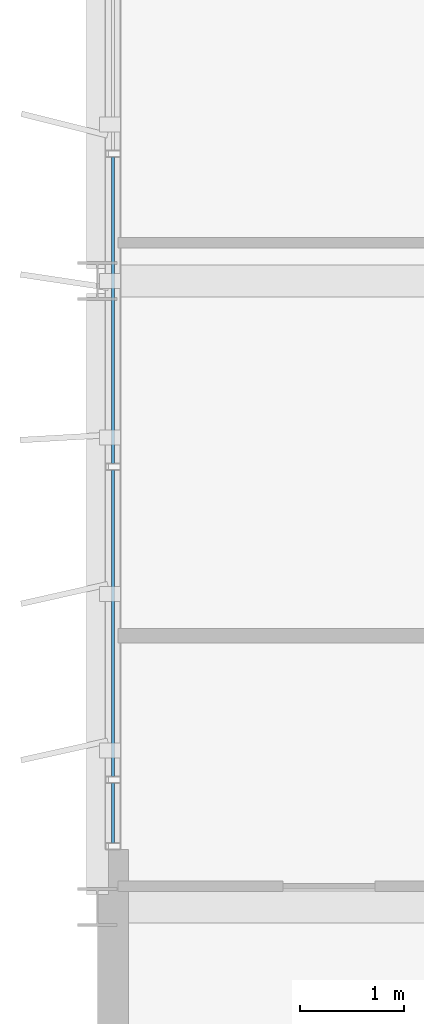
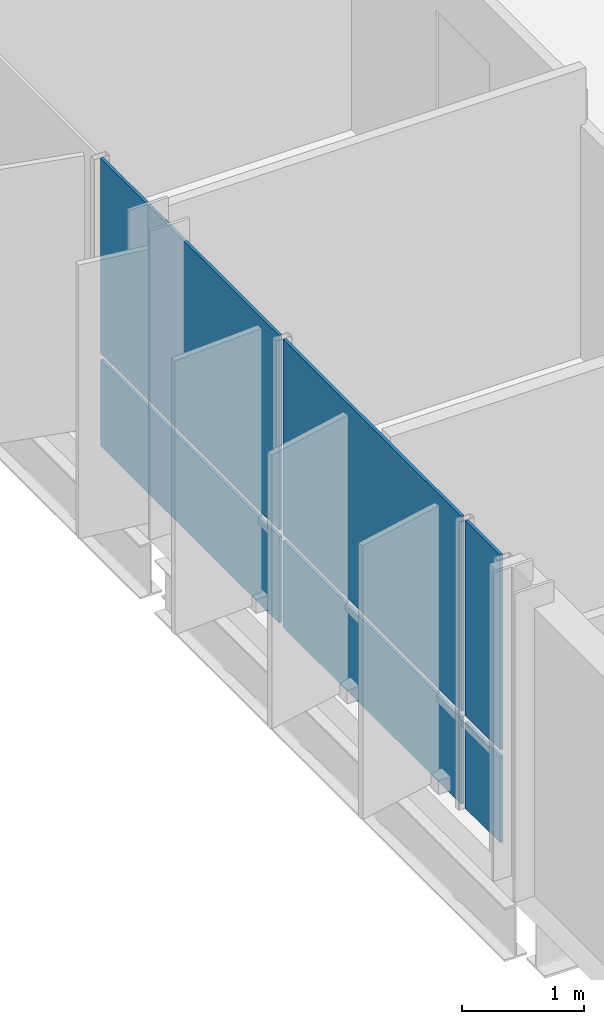
# One storey, part 21 of 35: 6 plates, 1 element without a shape of its own.
"""IFC4 building model written with IfcOpenShell, lengths in metres."""

from ifc_helpers import new_model, si_unit, direction, frame, origin, origin_2d, place, context, subcontext, project, spatial, rectangle, extrude, material, layer, layer_set, type_object, element, aggregate, save


model = new_model("IFC4")

# Units and contexts
model_context = context("Model", 3, precision=1e-05, world=origin(), true_north=direction((0.0, 1.0)))
body_context = subcontext(model_context, "Body", "Model", "MODEL_VIEW")
ifc_project = project(units=[si_unit("LENGTHUNIT", "METRE"), si_unit("AREAUNIT", "SQUARE_METRE"), si_unit("VOLUMEUNIT", "CUBIC_METRE"), si_unit("PLANEANGLEUNIT", "RADIAN"), si_unit("MASSUNIT", "GRAM", prefix="KILO")], contexts=[model_context])

# Site, building, storey
site_placement = place(None, origin())
site = spatial("IfcSite", under=ifc_project, at=site_placement, CompositionType="ELEMENT")
building_placement = place(site_placement, origin())
building = spatial("IfcBuilding", under=site, at=building_placement, Name="Brevholm Reach", CompositionType="ELEMENT")
storey_placement = place(building_placement, frame((0.0, 0.0, 218.0)))
storey = spatial("IfcBuildingStorey", under=building, at=storey_placement, Name="L66", CompositionType="ELEMENT", Elevation=218.0)

# Curtain wall, plates
ifc_material_1 = material(Name="Dark Anodised Aluminium 6063-T6 and Solar-Control Glass", Category="aluminium")
ifc_layer_1 = layer(ifc_material_1, 0.14990234375)
ifc_layer_set_1 = layer_set([ifc_layer_1], Name="Dark Anodised Aluminium 6063-T6 and Solar-Control Glass")
curtain_wall_type = type_object("IfcCurtainWallType", Name="CW-01", PredefinedType="NOTDEFINED", material=ifc_layer_set_1)
curtain_wall_placement = place(storey_placement, origin())
curtain_wall = element("IfcCurtainWall", 1, at=curtain_wall_placement, inside=storey, type_object=curtain_wall_type, Name="L66 Curtain Wall CW-01", PredefinedType="NOTDEFINED")
ifc_material_2 = material(Name="Dark Solar-Control Double-Glazed IGU Glass", Category="glass")
ifc_layer_2 = layer(ifc_material_2, 0.028076171875)
ifc_layer_set_2 = layer_set([ifc_layer_2], Name="Dark Solar-Control Double-Glazed IGU Glass")
plate_type = type_object("IfcPlateType", Name="CWP-GLZ-28", PredefinedType="CURTAIN_PANEL", material=ifc_layer_set_2)
plate_1_placement = place(storey_placement, frame((0.14990234375, 15.719970703125, 0.0), z_axis=(0.0, 0.0, 1.0), x_axis=(0.0, -1.0, 0.0)))
plate_1 = element("IfcPlate", 2, at=plate_1_placement, type_object=plate_type, Name="CP-01 Glazing Panel 3.1", PredefinedType="CURTAIN_PANEL", context=body_context, shape_type="SweptSolid", body=[
    extrude(rectangle(XDim=2.93505859375, YDim=0.028076171875, at=origin_2d()), origin(), (0.0, 0.0, 1.0), 0.867431640625),
])
plate_2_placement = place(storey_placement, frame((0.14990234375, 15.719970703125, 0.932373046875), z_axis=(0.0, 0.0, 1.0), x_axis=(0.0, -1.0, 0.0)))
plate_2 = element("IfcPlate", 3, at=plate_2_placement, type_object=plate_type, Name="CP-01 Glazing Panel 3.2", PredefinedType="CURTAIN_PANEL", context=body_context, shape_type="SweptSolid", body=[
    extrude(rectangle(XDim=2.93505859375, YDim=0.028076171875, at=origin_2d()), origin(), (0.0, 0.0, 1.0), 1.95751953125),
])
plate_3_placement = place(storey_placement, frame((0.14990234375, 12.719970703125, 0.0), z_axis=(0.0, 0.0, 1.0), x_axis=(0.0, -1.0, 0.0)))
plate_3 = element("IfcPlate", 4, at=plate_3_placement, type_object=plate_type, Name="CP-01 Glazing Panel 4.1", PredefinedType="CURTAIN_PANEL", context=body_context, shape_type="SweptSolid", body=[
    extrude(rectangle(XDim=2.93505859375, YDim=0.028076171875, at=origin_2d()), origin(), (0.0, 0.0, 1.0), 0.867431640625),
])
plate_4_placement = place(storey_placement, frame((0.14990234375, 12.719970703125, 0.932373046875), z_axis=(0.0, 0.0, 1.0), x_axis=(0.0, -1.0, 0.0)))
plate_4 = element("IfcPlate", 5, at=plate_4_placement, type_object=plate_type, Name="CP-01 Glazing Panel 4.2", PredefinedType="CURTAIN_PANEL", context=body_context, shape_type="SweptSolid", body=[
    extrude(rectangle(XDim=2.93505859375, YDim=0.028076171875, at=origin_2d()), origin(), (0.0, 0.0, 1.0), 1.95751953125),
])
plate_5_placement = place(storey_placement, frame((0.14990234375, 10.9013671875, 0.0), z_axis=(0.0, 0.0, 1.0), x_axis=(0.0, -1.0, 0.0)))
plate_5 = element("IfcPlate", 6, at=plate_5_placement, type_object=plate_type, Name="CP-01 Glazing Panel 5.1", PredefinedType="CURTAIN_PANEL", context=body_context, shape_type="SweptSolid", body=[
    extrude(rectangle(XDim=0.572509765625, YDim=0.028076171875, at=origin_2d()), origin(), (0.0, 0.0, 1.0), 0.867431640625),
])
plate_6_placement = place(storey_placement, frame((0.14990234375, 10.9013671875, 0.932373046875), z_axis=(0.0, 0.0, 1.0), x_axis=(0.0, -1.0, 0.0)))
plate_6 = element("IfcPlate", 7, at=plate_6_placement, type_object=plate_type, Name="CP-01 Glazing Panel 5.2", PredefinedType="CURTAIN_PANEL", context=body_context, shape_type="SweptSolid", body=[
    extrude(rectangle(XDim=0.572509765625, YDim=0.028076171875, at=origin_2d()), origin(), (0.0, 0.0, 1.0), 1.95751953125),
])
aggregate(curtain_wall, [plate_1, plate_2, plate_3, plate_4, plate_5, plate_6])

save(model, "model.ifc")
